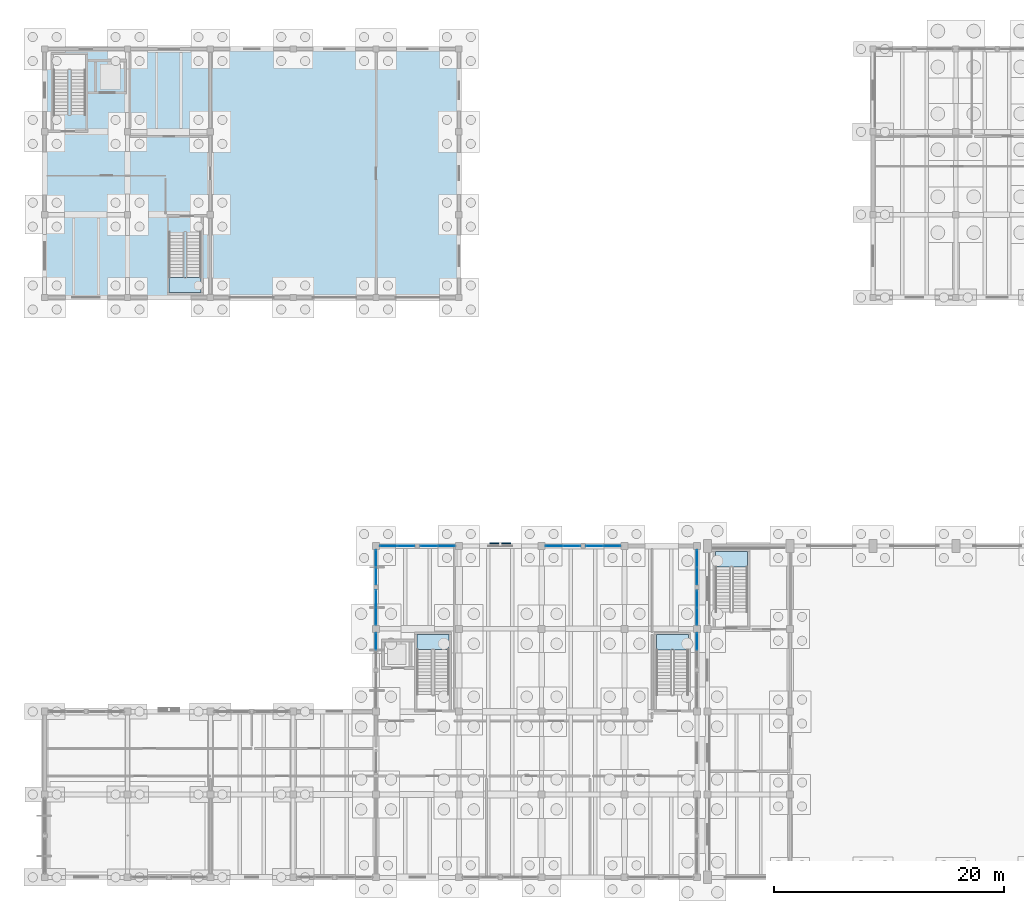
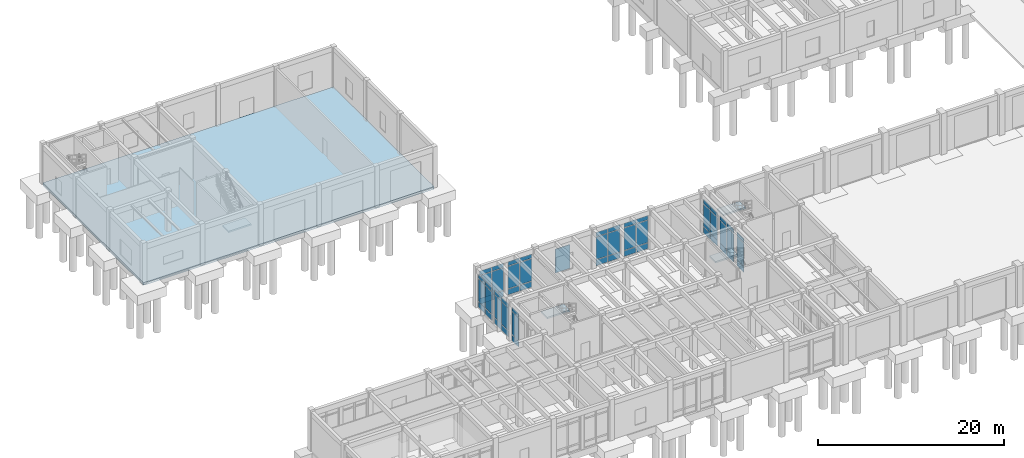
# One storey, part 54 of 93: 55 plates, 5 slabs, 14 elements without a shape of their own.
"""IFC4 building model written with IfcOpenShell, lengths in metres."""

from ifc_helpers import new_model, si_unit, direction, frame, origin, origin_2d, place, context, subcontext, project, spatial, polyline, rectangle, outline, extrude, material, layer, layer_set, type_object, element, aggregate, save


model = new_model("IFC4")

# Units and contexts
model_context = context("Model", 3, precision=1e-05, world=origin(), true_north=direction((0.0, 1.0)))
body_context = subcontext(model_context, "Body", "Model", "MODEL_VIEW")
ifc_project = project(units=[si_unit("LENGTHUNIT", "METRE"), si_unit("AREAUNIT", "SQUARE_METRE"), si_unit("VOLUMEUNIT", "CUBIC_METRE"), si_unit("PLANEANGLEUNIT", "RADIAN"), si_unit("MASSUNIT", "GRAM", prefix="KILO")], contexts=[model_context])

# Site, building, storey
site_placement = place(None, origin())
site = spatial("IfcSite", under=ifc_project, at=site_placement, CompositionType="ELEMENT")
building_placement = place(site_placement, origin())
building = spatial("IfcBuilding", under=site, at=building_placement, Name="Koriwan Promenade Central Fire Station", CompositionType="ELEMENT")
storey_placement = place(building_placement, origin())
storey = spatial("IfcBuildingStorey", under=building, at=storey_placement, Name="L00", CompositionType="ELEMENT", Elevation=0.0)

# Slab
ifc_material_1 = material(Name="Concrete C35/45", Category="concrete")
ifc_layer_1 = layer(ifc_material_1, 0.35009765625, Name="Concrete C35/45")
ifc_layer_set_1 = layer_set([ifc_layer_1], Name="Concrete C35/45")
slab_type_1 = type_object("IfcSlabType", Name="BaseSlab_350", PredefinedType="BASESLAB", material=ifc_layer_set_1)
slab_1_placement = place(storey_placement, frame((0.0, 0.0, -0.35009765625)))
element("IfcSlab", 1, at=slab_1_placement, inside=storey, type_object=slab_type_1, Name="V6 L00 structural slab 1", PredefinedType="BASESLAB", context=body_context, shape_type="SweptSolid", body=[
    extrude(outline(polyline([(36.0, 93.60009765625), (36.0, 115.199951171875), (0.0, 115.199951171875), (0.0, 93.60009765625), (36.0, 93.60009765625)])), origin(), (0.0, 0.0, 1.0), 0.35009765625),
])

# Curtain wall, plates
ifc_material_2 = material(Name="Aluminium EN AW-6063-T6 and low-E glazing", Category="aluminium")
ifc_layer_2 = layer(ifc_material_2, 0.159912109375, Name="Aluminium EN AW-6063-T6 and low-E glazing")
ifc_layer_set_2 = layer_set([ifc_layer_2], Name="Aluminium EN AW-6063-T6 and low-E glazing")
curtain_wall_type_1 = type_object("IfcCurtainWallType", Name="CurtainWall_24_310x449", PredefinedType="USERDEFINED", material=ifc_layer_set_2)
curtain_wall_1_placement = place(storey_placement, origin())
curtain_wall_1 = element("IfcCurtainWall", 2, at=curtain_wall_1_placement, inside=storey, type_object=curtain_wall_type_1, Name="V4 L00 unitised curtain wall 089", ObjectType="UNITISED CURTAIN WALL", PredefinedType="USERDEFINED")
ifc_material_3 = material(Name="Low-E laminated double glazing", Category="glass")
ifc_layer_3 = layer(ifc_material_3, 0.028076171875, Name="Low-E laminated double glazing")
ifc_layer_set_3 = layer_set([ifc_layer_3], Name="Low-E laminated double glazing")
plate_type_1 = type_object("IfcPlateType", Name="CWPanel_28", PredefinedType="CURTAIN_PANEL", material=ifc_layer_set_3)
plate_1_placement = place(storey_placement, frame((28.800048828125, 65.891357421875, 0.06494140625), z_axis=(0.0, 0.0, 1.0), x_axis=(0.0, 1.0, 0.0)))
plate_1 = element("IfcPlate", 3, at=plate_1_placement, type_object=plate_type_1, Name="CW-24 panel 1.1", PredefinedType="CURTAIN_PANEL", context=body_context, shape_type="SweptSolid", body=[
    extrude(rectangle(XDim=1.452392578125, YDim=0.028076171875, at=origin_2d()), origin(), (0.0, 0.0, 1.0), 0.75244140625),
])
plate_2_placement = place(storey_placement, frame((28.800048828125, 65.891357421875, 0.88232421875), z_axis=(0.0, 0.0, 1.0), x_axis=(0.0, 1.0, 0.0)))
plate_2 = element("IfcPlate", 4, at=plate_2_placement, type_object=plate_type_1, Name="CW-24 panel 1.2", PredefinedType="CURTAIN_PANEL", context=body_context, shape_type="SweptSolid", body=[
    extrude(rectangle(XDim=1.452392578125, YDim=0.028076171875, at=origin_2d()), origin(), (0.0, 0.0, 1.0), 2.925048828125),
])
plate_3_placement = place(storey_placement, frame((28.800048828125, 65.891357421875, 3.87255859375), z_axis=(0.0, 0.0, 1.0), x_axis=(0.0, 1.0, 0.0)))
plate_3 = element("IfcPlate", 5, at=plate_3_placement, type_object=plate_type_1, Name="CW-24 panel 1.3", PredefinedType="CURTAIN_PANEL", context=body_context, shape_type="SweptSolid", body=[
    extrude(rectangle(XDim=1.452392578125, YDim=0.028076171875, at=origin_2d()), origin(), (0.0, 0.0, 1.0), 0.552490234375),
])
plate_4_placement = place(storey_placement, frame((28.800048828125, 67.40869140625, 0.06494140625), z_axis=(0.0, 0.0, 1.0), x_axis=(0.0, 1.0, 0.0)))
plate_4 = element("IfcPlate", 6, at=plate_4_placement, type_object=plate_type_1, Name="CW-24 panel 2.1", PredefinedType="CURTAIN_PANEL", context=body_context, shape_type="SweptSolid", body=[
    extrude(rectangle(XDim=1.452392578125, YDim=0.028076171875, at=origin_2d()), origin(), (0.0, 0.0, 1.0), 0.75244140625),
])
plate_5_placement = place(storey_placement, frame((28.800048828125, 67.40869140625, 0.88232421875), z_axis=(0.0, 0.0, 1.0), x_axis=(0.0, 1.0, 0.0)))
plate_5 = element("IfcPlate", 7, at=plate_5_placement, type_object=plate_type_1, Name="CW-24 panel 2.2", PredefinedType="CURTAIN_PANEL", context=body_context, shape_type="SweptSolid", body=[
    extrude(rectangle(XDim=1.452392578125, YDim=0.028076171875, at=origin_2d()), origin(), (0.0, 0.0, 1.0), 2.925048828125),
])
plate_6_placement = place(storey_placement, frame((28.800048828125, 67.40869140625, 3.87255859375), z_axis=(0.0, 0.0, 1.0), x_axis=(0.0, 1.0, 0.0)))
plate_6 = element("IfcPlate", 8, at=plate_6_placement, type_object=plate_type_1, Name="CW-24 panel 2.3", PredefinedType="CURTAIN_PANEL", context=body_context, shape_type="SweptSolid", body=[
    extrude(rectangle(XDim=1.452392578125, YDim=0.028076171875, at=origin_2d()), origin(), (0.0, 0.0, 1.0), 0.552490234375),
])
aggregate(curtain_wall_1, [plate_1, plate_2, plate_3, plate_4, plate_5, plate_6])

curtain_wall_2_placement = place(storey_placement, origin())
curtain_wall_2 = element("IfcCurtainWall", 9, at=curtain_wall_2_placement, inside=storey, type_object=curtain_wall_type_1, Name="V4 L00 unitised curtain wall 091", ObjectType="UNITISED CURTAIN WALL", PredefinedType="USERDEFINED")
plate_7_placement = place(storey_placement, frame((29.891357421875, 72.0, 0.06494140625), z_axis=(0.0, 0.0, 1.0), x_axis=(1.0, 0.0, 0.0)))
plate_7 = element("IfcPlate", 10, at=plate_7_placement, type_object=plate_type_1, Name="CW-24 panel 1.1", PredefinedType="CURTAIN_PANEL", context=body_context, shape_type="SweptSolid", body=[
    extrude(rectangle(XDim=1.452392578125, YDim=0.028076171875, at=origin_2d()), origin(), (0.0, 0.0, 1.0), 0.75244140625),
])
plate_8_placement = place(storey_placement, frame((29.891357421875, 72.0, 0.88232421875), z_axis=(0.0, 0.0, 1.0), x_axis=(1.0, 0.0, 0.0)))
plate_8 = element("IfcPlate", 11, at=plate_8_placement, type_object=plate_type_1, Name="CW-24 panel 1.2", PredefinedType="CURTAIN_PANEL", context=body_context, shape_type="SweptSolid", body=[
    extrude(rectangle(XDim=1.452392578125, YDim=0.028076171875, at=origin_2d()), origin(), (0.0, 0.0, 1.0), 2.925048828125),
])
plate_9_placement = place(storey_placement, frame((29.891357421875, 72.0, 3.87255859375), z_axis=(0.0, 0.0, 1.0), x_axis=(1.0, 0.0, 0.0)))
plate_9 = element("IfcPlate", 12, at=plate_9_placement, type_object=plate_type_1, Name="CW-24 panel 1.3", PredefinedType="CURTAIN_PANEL", context=body_context, shape_type="SweptSolid", body=[
    extrude(rectangle(XDim=1.452392578125, YDim=0.028076171875, at=origin_2d()), origin(), (0.0, 0.0, 1.0), 0.552490234375),
])
plate_10_placement = place(storey_placement, frame((31.40869140625, 72.0, 0.06494140625), z_axis=(0.0, 0.0, 1.0), x_axis=(1.0, 0.0, 0.0)))
plate_10 = element("IfcPlate", 13, at=plate_10_placement, type_object=plate_type_1, Name="CW-24 panel 2.1", PredefinedType="CURTAIN_PANEL", context=body_context, shape_type="SweptSolid", body=[
    extrude(rectangle(XDim=1.452392578125, YDim=0.028076171875, at=origin_2d()), origin(), (0.0, 0.0, 1.0), 0.75244140625),
])
plate_11_placement = place(storey_placement, frame((31.40869140625, 72.0, 0.88232421875), z_axis=(0.0, 0.0, 1.0), x_axis=(1.0, 0.0, 0.0)))
plate_11 = element("IfcPlate", 14, at=plate_11_placement, type_object=plate_type_1, Name="CW-24 panel 2.2", PredefinedType="CURTAIN_PANEL", context=body_context, shape_type="SweptSolid", body=[
    extrude(rectangle(XDim=1.452392578125, YDim=0.028076171875, at=origin_2d()), origin(), (0.0, 0.0, 1.0), 2.925048828125),
])
plate_12_placement = place(storey_placement, frame((31.40869140625, 72.0, 3.87255859375), z_axis=(0.0, 0.0, 1.0), x_axis=(1.0, 0.0, 0.0)))
plate_12 = element("IfcPlate", 15, at=plate_12_placement, type_object=plate_type_1, Name="CW-24 panel 2.3", PredefinedType="CURTAIN_PANEL", context=body_context, shape_type="SweptSolid", body=[
    extrude(rectangle(XDim=1.452392578125, YDim=0.028076171875, at=origin_2d()), origin(), (0.0, 0.0, 1.0), 0.552490234375),
])
aggregate(curtain_wall_2, [plate_7, plate_8, plate_9, plate_10, plate_11, plate_12])

curtain_wall_3_placement = place(storey_placement, origin())
curtain_wall_3 = element("IfcCurtainWall", 16, at=curtain_wall_3_placement, inside=storey, type_object=curtain_wall_type_1, Name="V4 L00 unitised curtain wall 093", ObjectType="UNITISED CURTAIN WALL", PredefinedType="USERDEFINED")
plate_13_placement = place(storey_placement, frame((44.291259765625, 72.0, 0.06494140625), z_axis=(0.0, 0.0, 1.0), x_axis=(1.0, 0.0, 0.0)))
plate_13 = element("IfcPlate", 17, at=plate_13_placement, type_object=plate_type_1, Name="CW-24 panel 1.1", PredefinedType="CURTAIN_PANEL", context=body_context, shape_type="SweptSolid", body=[
    extrude(rectangle(XDim=1.452392578125, YDim=0.028076171875, at=origin_2d()), origin(), (0.0, 0.0, 1.0), 0.75244140625),
])
plate_14_placement = place(storey_placement, frame((44.291259765625, 72.0, 0.88232421875), z_axis=(0.0, 0.0, 1.0), x_axis=(1.0, 0.0, 0.0)))
plate_14 = element("IfcPlate", 18, at=plate_14_placement, type_object=plate_type_1, Name="CW-24 panel 1.2", PredefinedType="CURTAIN_PANEL", context=body_context, shape_type="SweptSolid", body=[
    extrude(rectangle(XDim=1.452392578125, YDim=0.028076171875, at=origin_2d()), origin(), (0.0, 0.0, 1.0), 2.925048828125),
])
plate_15_placement = place(storey_placement, frame((44.291259765625, 72.0, 3.87255859375), z_axis=(0.0, 0.0, 1.0), x_axis=(1.0, 0.0, 0.0)))
plate_15 = element("IfcPlate", 19, at=plate_15_placement, type_object=plate_type_1, Name="CW-24 panel 1.3", PredefinedType="CURTAIN_PANEL", context=body_context, shape_type="SweptSolid", body=[
    extrude(rectangle(XDim=1.452392578125, YDim=0.028076171875, at=origin_2d()), origin(), (0.0, 0.0, 1.0), 0.552490234375),
])
plate_16_placement = place(storey_placement, frame((45.808837890625, 72.0, 0.06494140625), z_axis=(0.0, 0.0, 1.0), x_axis=(1.0, 0.0, 0.0)))
plate_16 = element("IfcPlate", 20, at=plate_16_placement, type_object=plate_type_1, Name="CW-24 panel 2.1", PredefinedType="CURTAIN_PANEL", context=body_context, shape_type="SweptSolid", body=[
    extrude(rectangle(XDim=1.452392578125, YDim=0.028076171875, at=origin_2d()), origin(), (0.0, 0.0, 1.0), 0.75244140625),
])
plate_17_placement = place(storey_placement, frame((45.808837890625, 72.0, 0.88232421875), z_axis=(0.0, 0.0, 1.0), x_axis=(1.0, 0.0, 0.0)))
plate_17 = element("IfcPlate", 21, at=plate_17_placement, type_object=plate_type_1, Name="CW-24 panel 2.2", PredefinedType="CURTAIN_PANEL", context=body_context, shape_type="SweptSolid", body=[
    extrude(rectangle(XDim=1.452392578125, YDim=0.028076171875, at=origin_2d()), origin(), (0.0, 0.0, 1.0), 2.925048828125),
])
plate_18_placement = place(storey_placement, frame((45.808837890625, 72.0, 3.87255859375), z_axis=(0.0, 0.0, 1.0), x_axis=(1.0, 0.0, 0.0)))
plate_18 = element("IfcPlate", 22, at=plate_18_placement, type_object=plate_type_1, Name="CW-24 panel 2.3", PredefinedType="CURTAIN_PANEL", context=body_context, shape_type="SweptSolid", body=[
    extrude(rectangle(XDim=1.452392578125, YDim=0.028076171875, at=origin_2d()), origin(), (0.0, 0.0, 1.0), 0.552490234375),
])
aggregate(curtain_wall_3, [plate_13, plate_14, plate_15, plate_16, plate_17, plate_18])

curtain_wall_4_placement = place(storey_placement, origin())
curtain_wall_4 = element("IfcCurtainWall", 23, at=curtain_wall_4_placement, inside=storey, type_object=curtain_wall_type_1, Name="V4 L00 unitised curtain wall 095", ObjectType="UNITISED CURTAIN WALL", PredefinedType="USERDEFINED")
plate_19_placement = place(storey_placement, frame((56.699951171875, 70.90869140625, 0.06494140625), z_axis=(0.0, 0.0, 1.0), x_axis=(0.0, -1.0, 0.0)))
plate_19 = element("IfcPlate", 24, at=plate_19_placement, type_object=plate_type_1, Name="CW-24 panel 1.1", PredefinedType="CURTAIN_PANEL", context=body_context, shape_type="SweptSolid", body=[
    extrude(rectangle(XDim=1.452392578125, YDim=0.028076171875, at=origin_2d()), origin(), (0.0, 0.0, 1.0), 0.75244140625),
])
plate_20_placement = place(storey_placement, frame((56.699951171875, 70.90869140625, 0.88232421875), z_axis=(0.0, 0.0, 1.0), x_axis=(0.0, -1.0, 0.0)))
plate_20 = element("IfcPlate", 25, at=plate_20_placement, type_object=plate_type_1, Name="CW-24 panel 1.2", PredefinedType="CURTAIN_PANEL", context=body_context, shape_type="SweptSolid", body=[
    extrude(rectangle(XDim=1.452392578125, YDim=0.028076171875, at=origin_2d()), origin(), (0.0, 0.0, 1.0), 2.925048828125),
])
plate_21_placement = place(storey_placement, frame((56.699951171875, 70.90869140625, 3.87255859375), z_axis=(0.0, 0.0, 1.0), x_axis=(0.0, -1.0, 0.0)))
plate_21 = element("IfcPlate", 26, at=plate_21_placement, type_object=plate_type_1, Name="CW-24 panel 1.3", PredefinedType="CURTAIN_PANEL", context=body_context, shape_type="SweptSolid", body=[
    extrude(rectangle(XDim=1.452392578125, YDim=0.028076171875, at=origin_2d()), origin(), (0.0, 0.0, 1.0), 0.552490234375),
])
plate_22_placement = place(storey_placement, frame((56.699951171875, 69.391357421875, 0.06494140625), z_axis=(0.0, 0.0, 1.0), x_axis=(0.0, -1.0, 0.0)))
plate_22 = element("IfcPlate", 27, at=plate_22_placement, type_object=plate_type_1, Name="CW-24 panel 2.1", PredefinedType="CURTAIN_PANEL", context=body_context, shape_type="SweptSolid", body=[
    extrude(rectangle(XDim=1.452392578125, YDim=0.028076171875, at=origin_2d()), origin(), (0.0, 0.0, 1.0), 0.75244140625),
])
plate_23_placement = place(storey_placement, frame((56.699951171875, 69.391357421875, 0.88232421875), z_axis=(0.0, 0.0, 1.0), x_axis=(0.0, -1.0, 0.0)))
plate_23 = element("IfcPlate", 28, at=plate_23_placement, type_object=plate_type_1, Name="CW-24 panel 2.2", PredefinedType="CURTAIN_PANEL", context=body_context, shape_type="SweptSolid", body=[
    extrude(rectangle(XDim=1.452392578125, YDim=0.028076171875, at=origin_2d()), origin(), (0.0, 0.0, 1.0), 2.925048828125),
])
plate_24_placement = place(storey_placement, frame((56.699951171875, 69.391357421875, 3.87255859375), z_axis=(0.0, 0.0, 1.0), x_axis=(0.0, -1.0, 0.0)))
plate_24 = element("IfcPlate", 29, at=plate_24_placement, type_object=plate_type_1, Name="CW-24 panel 2.3", PredefinedType="CURTAIN_PANEL", context=body_context, shape_type="SweptSolid", body=[
    extrude(rectangle(XDim=1.452392578125, YDim=0.028076171875, at=origin_2d()), origin(), (0.0, 0.0, 1.0), 0.552490234375),
])
aggregate(curtain_wall_4, [plate_19, plate_20, plate_21, plate_22, plate_23, plate_24])

ifc_layer_4 = layer(ifc_material_2, 0.159912109375, Name="Aluminium EN AW-6063-T6 and low-E glazing")
ifc_layer_set_4 = layer_set([ifc_layer_4], Name="Aluminium EN AW-6063-T6 and low-E glazing")
curtain_wall_type_2 = type_object("IfcCurtainWallType", Name="CurtainWall_33_310x454", PredefinedType="USERDEFINED", material=ifc_layer_set_4)
curtain_wall_5_placement = place(storey_placement, origin())
curtain_wall_5 = element("IfcCurtainWall", 30, at=curtain_wall_5_placement, inside=storey, type_object=curtain_wall_type_2, Name="V4 L00 unitised curtain wall 097", ObjectType="UNITISED CURTAIN WALL", PredefinedType="USERDEFINED")
plate_25_placement = place(storey_placement, frame((56.699951171875, 63.708740234375, 0.06494140625), z_axis=(0.0, 0.0, 1.0), x_axis=(0.0, -1.0, 0.0)))
plate_25 = element("IfcPlate", 31, at=plate_25_placement, type_object=plate_type_1, Name="CW-33 panel 1.1", PredefinedType="CURTAIN_PANEL", context=body_context, shape_type="SweptSolid", body=[
    extrude(rectangle(XDim=1.452392578125, YDim=0.028076171875, at=origin_2d()), origin(), (0.0, 0.0, 1.0), 0.75244140625),
])
plate_26_placement = place(storey_placement, frame((56.699951171875, 63.708740234375, 0.882568359375), z_axis=(0.0, 0.0, 1.0), x_axis=(0.0, -1.0, 0.0)))
plate_26 = element("IfcPlate", 32, at=plate_26_placement, type_object=plate_type_1, Name="CW-33 panel 1.2", PredefinedType="CURTAIN_PANEL", context=body_context, shape_type="SweptSolid", body=[
    extrude(rectangle(XDim=1.452392578125, YDim=0.028076171875, at=origin_2d()), origin(), (0.0, 0.0, 1.0), 2.97509765625),
])
plate_27_placement = place(storey_placement, frame((56.699951171875, 63.708740234375, 3.92236328125), z_axis=(0.0, 0.0, 1.0), x_axis=(0.0, -1.0, 0.0)))
plate_27 = element("IfcPlate", 33, at=plate_27_placement, type_object=plate_type_1, Name="CW-33 panel 1.3", PredefinedType="CURTAIN_PANEL", context=body_context, shape_type="SweptSolid", body=[
    extrude(rectangle(XDim=1.452392578125, YDim=0.028076171875, at=origin_2d()), origin(), (0.0, 0.0, 1.0), 0.552490234375),
])
aggregate(curtain_wall_5, [plate_25, plate_26, plate_27])

ifc_layer_5 = layer(ifc_material_2, 0.159912109375, Name="Aluminium EN AW-6063-T6 and low-E glazing")
ifc_layer_set_5 = layer_set([ifc_layer_5], Name="Aluminium EN AW-6063-T6 and low-E glazing")
curtain_wall_type_3 = type_object("IfcCurtainWallType", Name="CurtainWall_34_310x454", PredefinedType="USERDEFINED", material=ifc_layer_set_5)
curtain_wall_6_placement = place(storey_placement, origin())
curtain_wall_6 = element("IfcCurtainWall", 34, at=curtain_wall_6_placement, inside=storey, type_object=curtain_wall_type_3, Name="V4 L00 unitised curtain wall 088", ObjectType="UNITISED CURTAIN WALL", PredefinedType="USERDEFINED")
ifc_material_4 = material(Name="Solar-control low-E acoustic glazing", Category="glass")
ifc_layer_6 = layer(ifc_material_4, 0.031982421875, Name="Solar-control low-E acoustic glazing")
ifc_layer_set_6 = layer_set([ifc_layer_6], Name="Solar-control low-E acoustic glazing")
plate_type_2 = type_object("IfcPlateType", Name="CWPanel_32", PredefinedType="CURTAIN_PANEL", material=ifc_layer_set_6)
plate_28_placement = place(storey_placement, frame((28.800048828125, 63.706298828125, 0.0751953125), z_axis=(0.0, 0.0, 1.0), x_axis=(0.0, 1.0, 0.0)))
plate_28 = element("IfcPlate", 35, at=plate_28_placement, type_object=plate_type_2, Name="CW-34 panel 2.1", PredefinedType="CURTAIN_PANEL", context=body_context, shape_type="SweptSolid", body=[
    extrude(rectangle(XDim=1.4375, YDim=0.031982421875, at=origin_2d()), origin(), (0.0, 0.0, 1.0), 0.737548828125),
])
plate_29_placement = place(storey_placement, frame((28.800048828125, 63.706298828125, 0.8876953125), z_axis=(0.0, 0.0, 1.0), x_axis=(0.0, 1.0, 0.0)))
plate_29 = element("IfcPlate", 36, at=plate_29_placement, type_object=plate_type_2, Name="CW-34 panel 2.2", PredefinedType="CURTAIN_PANEL", context=body_context, shape_type="SweptSolid", body=[
    extrude(rectangle(XDim=1.4375, YDim=0.031982421875, at=origin_2d()), origin(), (0.0, 0.0, 1.0), 2.965087890625),
])
plate_30_placement = place(storey_placement, frame((28.800048828125, 63.706298828125, 3.927490234375), z_axis=(0.0, 0.0, 1.0), x_axis=(0.0, 1.0, 0.0)))
plate_30 = element("IfcPlate", 37, at=plate_30_placement, type_object=plate_type_2, Name="CW-34 panel 2.3", PredefinedType="CURTAIN_PANEL", context=body_context, shape_type="SweptSolid", body=[
    extrude(rectangle(XDim=1.4375, YDim=0.031982421875, at=origin_2d()), origin(), (0.0, 0.0, 1.0), 0.53759765625),
])
aggregate(curtain_wall_6, [plate_28, plate_29, plate_30])

ifc_layer_7 = layer(ifc_material_2, 0.159912109375, Name="Aluminium EN AW-6063-T6 and low-E glazing")
ifc_layer_set_7 = layer_set([ifc_layer_7], Name="Aluminium EN AW-6063-T6 and low-E glazing")
curtain_wall_type_4 = type_object("IfcCurtainWallType", Name="CurtainWall_39_310x449", PredefinedType="USERDEFINED", material=ifc_layer_set_7)
curtain_wall_7_placement = place(storey_placement, origin())
curtain_wall_7 = element("IfcCurtainWall", 38, at=curtain_wall_7_placement, inside=storey, type_object=curtain_wall_type_4, Name="V4 L00 unitised curtain wall 090", ObjectType="UNITISED CURTAIN WALL", PredefinedType="USERDEFINED")
plate_31_placement = place(storey_placement, frame((28.800048828125, 69.393798828125, 0.0751953125), z_axis=(0.0, 0.0, 1.0), x_axis=(0.0, 1.0, 0.0)))
plate_31 = element("IfcPlate", 39, at=plate_31_placement, type_object=plate_type_2, Name="CW-39 panel 1.1", PredefinedType="CURTAIN_PANEL", context=body_context, shape_type="SweptSolid", body=[
    extrude(rectangle(XDim=1.4375, YDim=0.031982421875, at=origin_2d()), origin(), (0.0, 0.0, 1.0), 0.737548828125),
])
plate_32_placement = place(storey_placement, frame((28.800048828125, 69.393798828125, 0.887451171875), z_axis=(0.0, 0.0, 1.0), x_axis=(0.0, 1.0, 0.0)))
plate_32 = element("IfcPlate", 40, at=plate_32_placement, type_object=plate_type_2, Name="CW-39 panel 1.2", PredefinedType="CURTAIN_PANEL", context=body_context, shape_type="SweptSolid", body=[
    extrude(rectangle(XDim=1.4375, YDim=0.031982421875, at=origin_2d()), origin(), (0.0, 0.0, 1.0), 2.9150390625),
])
plate_33_placement = place(storey_placement, frame((28.800048828125, 69.393798828125, 3.87744140625), z_axis=(0.0, 0.0, 1.0), x_axis=(0.0, 1.0, 0.0)))
plate_33 = element("IfcPlate", 41, at=plate_33_placement, type_object=plate_type_2, Name="CW-39 panel 1.3", PredefinedType="CURTAIN_PANEL", context=body_context, shape_type="SweptSolid", body=[
    extrude(rectangle(XDim=1.4375, YDim=0.031982421875, at=origin_2d()), origin(), (0.0, 0.0, 1.0), 0.53759765625),
])
plate_34_placement = place(storey_placement, frame((28.800048828125, 70.90625, 0.0751953125), z_axis=(0.0, 0.0, 1.0), x_axis=(0.0, 1.0, 0.0)))
plate_34 = element("IfcPlate", 42, at=plate_34_placement, type_object=plate_type_2, Name="CW-39 panel 2.1", PredefinedType="CURTAIN_PANEL", context=body_context, shape_type="SweptSolid", body=[
    extrude(rectangle(XDim=1.4375, YDim=0.031982421875, at=origin_2d()), origin(), (0.0, 0.0, 1.0), 0.737548828125),
])
plate_35_placement = place(storey_placement, frame((28.800048828125, 70.90625, 0.887451171875), z_axis=(0.0, 0.0, 1.0), x_axis=(0.0, 1.0, 0.0)))
plate_35 = element("IfcPlate", 43, at=plate_35_placement, type_object=plate_type_2, Name="CW-39 panel 2.2", PredefinedType="CURTAIN_PANEL", context=body_context, shape_type="SweptSolid", body=[
    extrude(rectangle(XDim=1.4375, YDim=0.031982421875, at=origin_2d()), origin(), (0.0, 0.0, 1.0), 2.9150390625),
])
plate_36_placement = place(storey_placement, frame((28.800048828125, 70.90625, 3.87744140625), z_axis=(0.0, 0.0, 1.0), x_axis=(0.0, 1.0, 0.0)))
plate_36 = element("IfcPlate", 44, at=plate_36_placement, type_object=plate_type_2, Name="CW-39 panel 2.3", PredefinedType="CURTAIN_PANEL", context=body_context, shape_type="SweptSolid", body=[
    extrude(rectangle(XDim=1.4375, YDim=0.031982421875, at=origin_2d()), origin(), (0.0, 0.0, 1.0), 0.53759765625),
])
aggregate(curtain_wall_7, [plate_31, plate_32, plate_33, plate_34, plate_35, plate_36])

curtain_wall_8_placement = place(storey_placement, origin())
curtain_wall_8 = element("IfcCurtainWall", 45, at=curtain_wall_8_placement, inside=storey, type_object=curtain_wall_type_4, Name="V4 L00 unitised curtain wall 092", ObjectType="UNITISED CURTAIN WALL", PredefinedType="USERDEFINED")
plate_37_placement = place(storey_placement, frame((33.393798828125, 72.0, 0.0751953125), z_axis=(0.0, 0.0, 1.0), x_axis=(1.0, 0.0, 0.0)))
plate_37 = element("IfcPlate", 46, at=plate_37_placement, type_object=plate_type_2, Name="CW-39 panel 1.1", PredefinedType="CURTAIN_PANEL", context=body_context, shape_type="SweptSolid", body=[
    extrude(rectangle(XDim=1.4375, YDim=0.031982421875, at=origin_2d()), origin(), (0.0, 0.0, 1.0), 0.737548828125),
])
plate_38_placement = place(storey_placement, frame((33.393798828125, 72.0, 0.887451171875), z_axis=(0.0, 0.0, 1.0), x_axis=(1.0, 0.0, 0.0)))
plate_38 = element("IfcPlate", 47, at=plate_38_placement, type_object=plate_type_2, Name="CW-39 panel 1.2", PredefinedType="CURTAIN_PANEL", context=body_context, shape_type="SweptSolid", body=[
    extrude(rectangle(XDim=1.4375, YDim=0.031982421875, at=origin_2d()), origin(), (0.0, 0.0, 1.0), 2.9150390625),
])
plate_39_placement = place(storey_placement, frame((33.393798828125, 72.0, 3.87744140625), z_axis=(0.0, 0.0, 1.0), x_axis=(1.0, 0.0, 0.0)))
plate_39 = element("IfcPlate", 48, at=plate_39_placement, type_object=plate_type_2, Name="CW-39 panel 1.3", PredefinedType="CURTAIN_PANEL", context=body_context, shape_type="SweptSolid", body=[
    extrude(rectangle(XDim=1.4375, YDim=0.031982421875, at=origin_2d()), origin(), (0.0, 0.0, 1.0), 0.53759765625),
])
plate_40_placement = place(storey_placement, frame((34.90625, 72.0, 0.0751953125), z_axis=(0.0, 0.0, 1.0), x_axis=(1.0, 0.0, 0.0)))
plate_40 = element("IfcPlate", 49, at=plate_40_placement, type_object=plate_type_2, Name="CW-39 panel 2.1", PredefinedType="CURTAIN_PANEL", context=body_context, shape_type="SweptSolid", body=[
    extrude(rectangle(XDim=1.4375, YDim=0.031982421875, at=origin_2d()), origin(), (0.0, 0.0, 1.0), 0.737548828125),
])
plate_41_placement = place(storey_placement, frame((34.90625, 72.0, 0.887451171875), z_axis=(0.0, 0.0, 1.0), x_axis=(1.0, 0.0, 0.0)))
plate_41 = element("IfcPlate", 50, at=plate_41_placement, type_object=plate_type_2, Name="CW-39 panel 2.2", PredefinedType="CURTAIN_PANEL", context=body_context, shape_type="SweptSolid", body=[
    extrude(rectangle(XDim=1.4375, YDim=0.031982421875, at=origin_2d()), origin(), (0.0, 0.0, 1.0), 2.9150390625),
])
plate_42_placement = place(storey_placement, frame((34.90625, 72.0, 3.87744140625), z_axis=(0.0, 0.0, 1.0), x_axis=(1.0, 0.0, 0.0)))
plate_42 = element("IfcPlate", 51, at=plate_42_placement, type_object=plate_type_2, Name="CW-39 panel 2.3", PredefinedType="CURTAIN_PANEL", context=body_context, shape_type="SweptSolid", body=[
    extrude(rectangle(XDim=1.4375, YDim=0.031982421875, at=origin_2d()), origin(), (0.0, 0.0, 1.0), 0.53759765625),
])
aggregate(curtain_wall_8, [plate_37, plate_38, plate_39, plate_40, plate_41, plate_42])

curtain_wall_9_placement = place(storey_placement, origin())
curtain_wall_9 = element("IfcCurtainWall", 52, at=curtain_wall_9_placement, inside=storey, type_object=curtain_wall_type_4, Name="V4 L00 unitised curtain wall 094", ObjectType="UNITISED CURTAIN WALL", PredefinedType="USERDEFINED")
plate_43_placement = place(storey_placement, frame((47.793701171875, 72.0, 0.0751953125), z_axis=(0.0, 0.0, 1.0), x_axis=(1.0, 0.0, 0.0)))
plate_43 = element("IfcPlate", 53, at=plate_43_placement, type_object=plate_type_2, Name="CW-39 panel 1.1", PredefinedType="CURTAIN_PANEL", context=body_context, shape_type="SweptSolid", body=[
    extrude(rectangle(XDim=1.4375, YDim=0.031982421875, at=origin_2d()), origin(), (0.0, 0.0, 1.0), 0.737548828125),
])
plate_44_placement = place(storey_placement, frame((47.793701171875, 72.0, 0.887451171875), z_axis=(0.0, 0.0, 1.0), x_axis=(1.0, 0.0, 0.0)))
plate_44 = element("IfcPlate", 54, at=plate_44_placement, type_object=plate_type_2, Name="CW-39 panel 1.2", PredefinedType="CURTAIN_PANEL", context=body_context, shape_type="SweptSolid", body=[
    extrude(rectangle(XDim=1.4375, YDim=0.031982421875, at=origin_2d()), origin(), (0.0, 0.0, 1.0), 2.9150390625),
])
plate_45_placement = place(storey_placement, frame((47.793701171875, 72.0, 3.87744140625), z_axis=(0.0, 0.0, 1.0), x_axis=(1.0, 0.0, 0.0)))
plate_45 = element("IfcPlate", 55, at=plate_45_placement, type_object=plate_type_2, Name="CW-39 panel 1.3", PredefinedType="CURTAIN_PANEL", context=body_context, shape_type="SweptSolid", body=[
    extrude(rectangle(XDim=1.4375, YDim=0.031982421875, at=origin_2d()), origin(), (0.0, 0.0, 1.0), 0.53759765625),
])
plate_46_placement = place(storey_placement, frame((49.30615234375, 72.0, 0.0751953125), z_axis=(0.0, 0.0, 1.0), x_axis=(1.0, 0.0, 0.0)))
plate_46 = element("IfcPlate", 56, at=plate_46_placement, type_object=plate_type_2, Name="CW-39 panel 2.1", PredefinedType="CURTAIN_PANEL", context=body_context, shape_type="SweptSolid", body=[
    extrude(rectangle(XDim=1.4375, YDim=0.031982421875, at=origin_2d()), origin(), (0.0, 0.0, 1.0), 0.737548828125),
])
plate_47_placement = place(storey_placement, frame((49.30615234375, 72.0, 0.887451171875), z_axis=(0.0, 0.0, 1.0), x_axis=(1.0, 0.0, 0.0)))
plate_47 = element("IfcPlate", 57, at=plate_47_placement, type_object=plate_type_2, Name="CW-39 panel 2.2", PredefinedType="CURTAIN_PANEL", context=body_context, shape_type="SweptSolid", body=[
    extrude(rectangle(XDim=1.4375, YDim=0.031982421875, at=origin_2d()), origin(), (0.0, 0.0, 1.0), 2.9150390625),
])
plate_48_placement = place(storey_placement, frame((49.30615234375, 72.0, 3.87744140625), z_axis=(0.0, 0.0, 1.0), x_axis=(1.0, 0.0, 0.0)))
plate_48 = element("IfcPlate", 58, at=plate_48_placement, type_object=plate_type_2, Name="CW-39 panel 2.3", PredefinedType="CURTAIN_PANEL", context=body_context, shape_type="SweptSolid", body=[
    extrude(rectangle(XDim=1.4375, YDim=0.031982421875, at=origin_2d()), origin(), (0.0, 0.0, 1.0), 0.53759765625),
])
aggregate(curtain_wall_9, [plate_43, plate_44, plate_45, plate_46, plate_47, plate_48])

curtain_wall_10_placement = place(storey_placement, origin())
curtain_wall_10 = element("IfcCurtainWall", 59, at=curtain_wall_10_placement, inside=storey, type_object=curtain_wall_type_4, Name="V4 L00 unitised curtain wall 096", ObjectType="UNITISED CURTAIN WALL", PredefinedType="USERDEFINED")
plate_49_placement = place(storey_placement, frame((56.699951171875, 67.40625, 0.0751953125), z_axis=(0.0, 0.0, 1.0), x_axis=(0.0, -1.0, 0.0)))
plate_49 = element("IfcPlate", 60, at=plate_49_placement, type_object=plate_type_2, Name="CW-39 panel 1.1", PredefinedType="CURTAIN_PANEL", context=body_context, shape_type="SweptSolid", body=[
    extrude(rectangle(XDim=1.4375, YDim=0.031982421875, at=origin_2d()), origin(), (0.0, 0.0, 1.0), 0.737548828125),
])
plate_50_placement = place(storey_placement, frame((56.699951171875, 67.40625, 0.887451171875), z_axis=(0.0, 0.0, 1.0), x_axis=(0.0, -1.0, 0.0)))
plate_50 = element("IfcPlate", 61, at=plate_50_placement, type_object=plate_type_2, Name="CW-39 panel 1.2", PredefinedType="CURTAIN_PANEL", context=body_context, shape_type="SweptSolid", body=[
    extrude(rectangle(XDim=1.4375, YDim=0.031982421875, at=origin_2d()), origin(), (0.0, 0.0, 1.0), 2.9150390625),
])
plate_51_placement = place(storey_placement, frame((56.699951171875, 67.40625, 3.87744140625), z_axis=(0.0, 0.0, 1.0), x_axis=(0.0, -1.0, 0.0)))
plate_51 = element("IfcPlate", 62, at=plate_51_placement, type_object=plate_type_2, Name="CW-39 panel 1.3", PredefinedType="CURTAIN_PANEL", context=body_context, shape_type="SweptSolid", body=[
    extrude(rectangle(XDim=1.4375, YDim=0.031982421875, at=origin_2d()), origin(), (0.0, 0.0, 1.0), 0.53759765625),
])
plate_52_placement = place(storey_placement, frame((56.699951171875, 65.893798828125, 0.0751953125), z_axis=(0.0, 0.0, 1.0), x_axis=(0.0, -1.0, 0.0)))
plate_52 = element("IfcPlate", 63, at=plate_52_placement, type_object=plate_type_2, Name="CW-39 panel 2.1", PredefinedType="CURTAIN_PANEL", context=body_context, shape_type="SweptSolid", body=[
    extrude(rectangle(XDim=1.4375, YDim=0.031982421875, at=origin_2d()), origin(), (0.0, 0.0, 1.0), 0.737548828125),
])
plate_53_placement = place(storey_placement, frame((56.699951171875, 65.893798828125, 0.887451171875), z_axis=(0.0, 0.0, 1.0), x_axis=(0.0, -1.0, 0.0)))
plate_53 = element("IfcPlate", 64, at=plate_53_placement, type_object=plate_type_2, Name="CW-39 panel 2.2", PredefinedType="CURTAIN_PANEL", context=body_context, shape_type="SweptSolid", body=[
    extrude(rectangle(XDim=1.4375, YDim=0.031982421875, at=origin_2d()), origin(), (0.0, 0.0, 1.0), 2.9150390625),
])
plate_54_placement = place(storey_placement, frame((56.699951171875, 65.893798828125, 3.87744140625), z_axis=(0.0, 0.0, 1.0), x_axis=(0.0, -1.0, 0.0)))
plate_54 = element("IfcPlate", 65, at=plate_54_placement, type_object=plate_type_2, Name="CW-39 panel 2.3", PredefinedType="CURTAIN_PANEL", context=body_context, shape_type="SweptSolid", body=[
    extrude(rectangle(XDim=1.4375, YDim=0.031982421875, at=origin_2d()), origin(), (0.0, 0.0, 1.0), 0.53759765625),
])
aggregate(curtain_wall_10, [plate_49, plate_50, plate_51, plate_52, plate_53, plate_54])

# Plate
ifc_material_5 = material(Name="Precast concrete C40/50", Category="concrete")
ifc_layer_8 = layer(ifc_material_5, 0.090087890625, Name="Precast concrete C40/50")
ifc_layer_set_8 = layer_set([ifc_layer_8], Name="Precast concrete C40/50")
plate_type_3 = type_object("IfcPlateType", Name="JaliScreen_JL-03", PredefinedType="USERDEFINED", material=ifc_layer_set_8)
plate_55_placement = place(storey_placement, frame((39.60009765625, 72.2548828125, 0.695068359375), z_axis=(0.0, 0.0, 1.0), x_axis=(1.0, 0.0, 0.0)))
element("IfcPlate", 66, at=plate_55_placement, inside=storey, type_object=plate_type_3, Name="V4 L00 Mughal jali screen 008", ObjectType="JALI SCREEN", PredefinedType="USERDEFINED", context=body_context, shape_type="SweptSolid", body=[
    extrude(rectangle(XDim=1.800048828125, YDim=0.090087890625, at=origin_2d()), origin(), (0.0, 0.0, 1.0), 3.10009765625),
])

# Stair, slab
stair_type_1 = type_object("IfcStairType", Name="Stair_HALF_30R_1320", PredefinedType="HALF_TURN_STAIR", material=ifc_material_1)
stair_1_placement = place(storey_placement, origin())
stair_1 = element("IfcStair", 67, at=stair_1_placement, inside=storey, type_object=stair_type_1, Name="L00 Protected Stair ST01", PredefinedType="HALF_TURN_STAIR")
ifc_layer_9 = layer(ifc_material_1, 0.199951171875, Name="Concrete C35/45")
ifc_layer_set_9 = layer_set([ifc_layer_9], Name="Concrete C35/45")
slab_type_2 = type_object("IfcSlabType", Name="StairLanding_200", PredefinedType="LANDING", material=ifc_layer_set_9)
slab_2_placement = place(storey_placement, frame((0.0, 0.0, 2.5)))
slab_2 = element("IfcSlab", 68, at=slab_2_placement, type_object=slab_type_2, Name="ST01 landing 1", PredefinedType="LANDING", context=body_context, shape_type="SweptSolid", body=[
    extrude(outline(polyline([(61.10009765625, 70.18994140625), (61.10009765625, 71.510009765625), (58.31005859375, 71.510009765625), (58.31005859375, 70.18994140625), (61.10009765625, 70.18994140625)])), origin(), (0.0, 0.0, 1.0), 0.199951171875),
])
aggregate(stair_1, [slab_2])

stair_2_placement = place(storey_placement, origin())
stair_2 = element("IfcStair", 69, at=stair_2_placement, inside=storey, type_object=stair_type_1, Name="L00 Protected Stair ST18", PredefinedType="HALF_TURN_STAIR")
slab_3_placement = place(storey_placement, frame((0.0, 0.0, 2.5)))
slab_3 = element("IfcSlab", 70, at=slab_3_placement, type_object=slab_type_2, Name="ST18 landing 1", PredefinedType="LANDING", context=body_context, shape_type="SweptSolid", body=[
    extrude(outline(polyline([(35.14990234375, 62.989990234375), (35.14990234375, 64.31005859375), (32.360107421875, 64.31005859375), (32.360107421875, 62.989990234375), (35.14990234375, 62.989990234375)])), origin(), (0.0, 0.0, 1.0), 0.199951171875),
])
aggregate(stair_2, [slab_3])

stair_type_2 = type_object("IfcStairType", Name="Stair_HALF_30R_1310", PredefinedType="HALF_TURN_STAIR", material=ifc_material_1)
stair_3_placement = place(storey_placement, origin())
stair_3 = element("IfcStair", 71, at=stair_3_placement, inside=storey, type_object=stair_type_2, Name="L00 Protected Stair ST20", PredefinedType="HALF_TURN_STAIR")
slab_4_placement = place(storey_placement, frame((0.0, 0.0, 2.5)))
slab_4 = element("IfcSlab", 72, at=slab_4_placement, type_object=slab_type_2, Name="ST20 landing 1", PredefinedType="LANDING", context=body_context, shape_type="SweptSolid", body=[
    extrude(outline(polyline([(55.949951171875, 62.97998046875), (55.949951171875, 64.2900390625), (53.179931640625, 64.2900390625), (53.179931640625, 62.97998046875), (55.949951171875, 62.97998046875)])), origin(), (0.0, 0.0, 1.0), 0.199951171875),
])
aggregate(stair_3, [slab_4])

stair_4_placement = place(storey_placement, origin())
stair_4 = element("IfcStair", 73, at=stair_4_placement, inside=storey, type_object=stair_type_1, Name="L00 Protected Stair ST33", PredefinedType="HALF_TURN_STAIR")
slab_5_placement = place(storey_placement, frame((0.0, 0.0, 2.5)))
slab_5 = element("IfcSlab", 74, at=slab_5_placement, type_object=slab_type_2, Name="ST33 landing 1", PredefinedType="LANDING", context=body_context, shape_type="SweptSolid", body=[
    extrude(outline(polyline([(10.81005859375, 95.360107421875), (10.81005859375, 94.0400390625), (13.60009765625, 94.0400390625), (13.60009765625, 95.360107421875), (10.81005859375, 95.360107421875)])), origin(), (0.0, 0.0, 1.0), 0.199951171875),
])
aggregate(stair_4, [slab_5])

save(model, "model.ifc")
